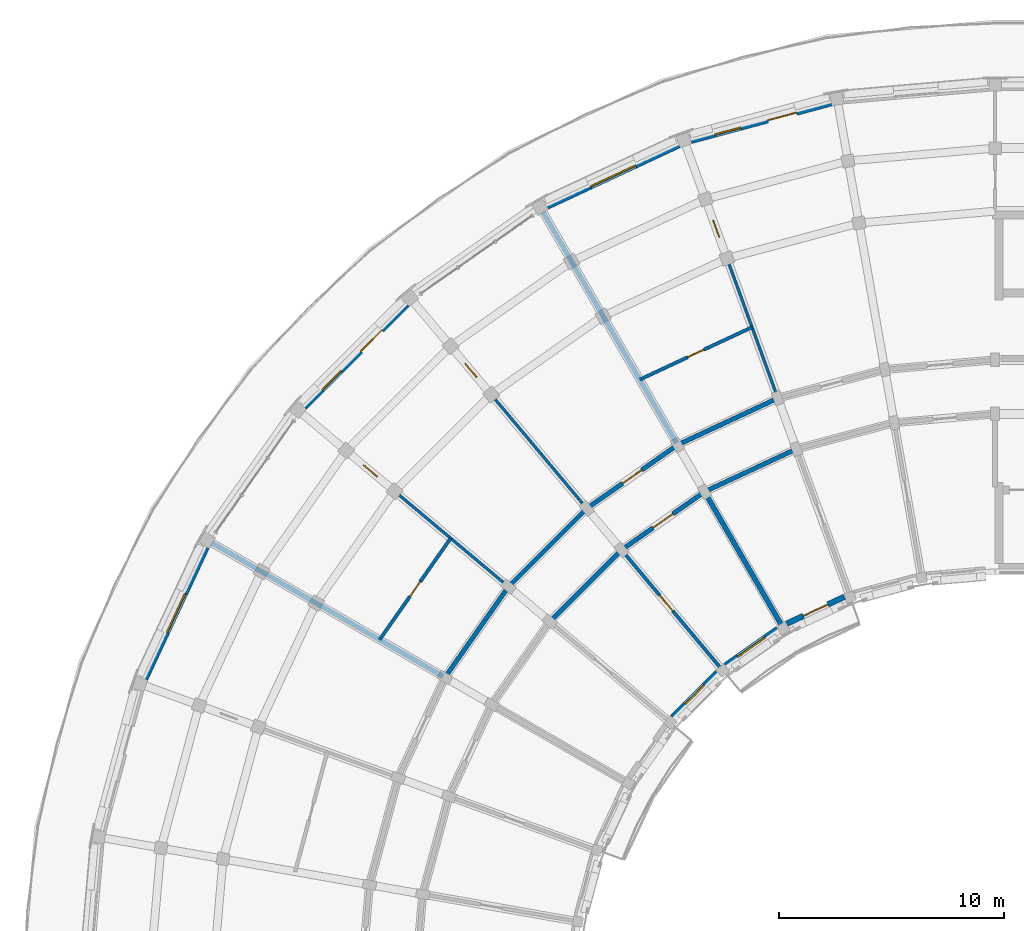
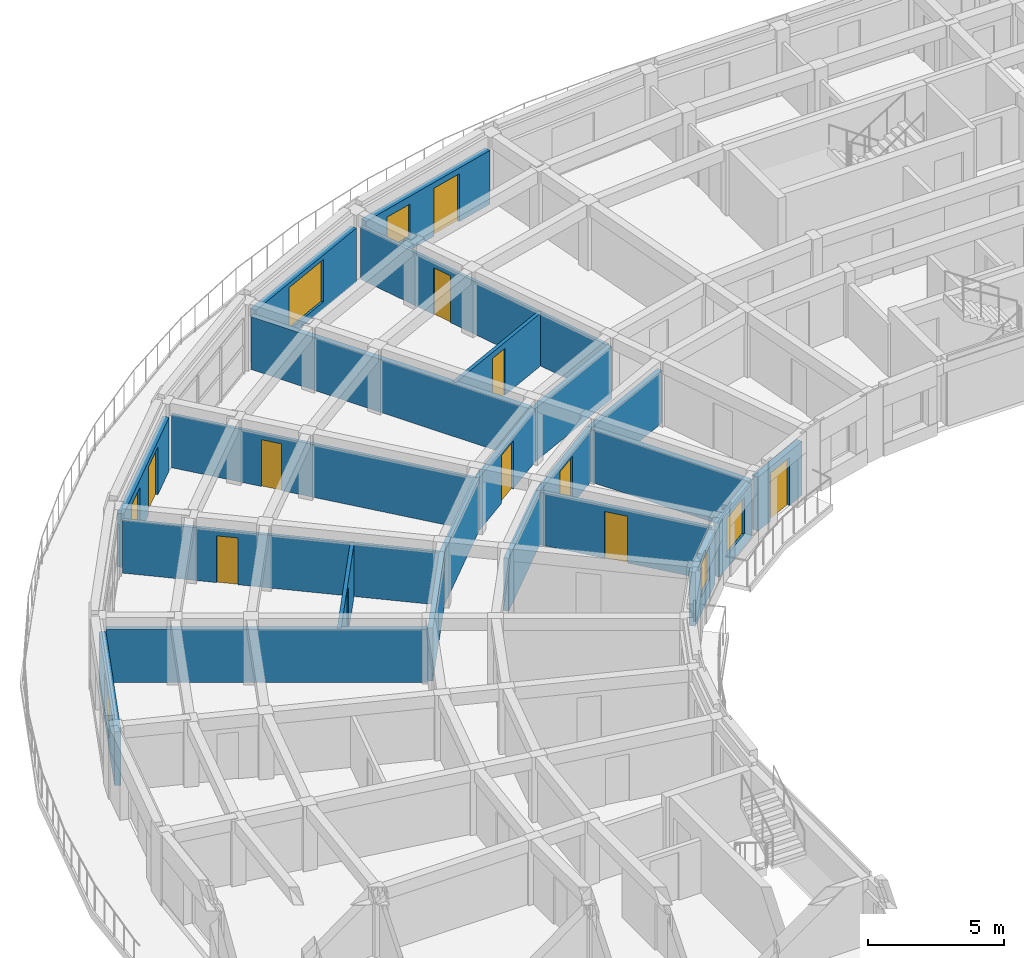
# One storey, part 12 of 23: 23 walls, 11 doors, 6 windows, 17 openings.
"""IFC4 building model written with IfcOpenShell, lengths in metres."""

from ifc_helpers import new_model, si_unit, direction, frame, frame_2d, origin, place, context, subcontext, project, spatial, rectangle, extrude, material, layer, layer_set, type_object, element, fill, save


model = new_model("IFC4")

# Units and contexts
model_context = context("Model", 3, precision=1e-05, world=origin(), true_north=direction((0.0, 1.0)))
body_context = subcontext(model_context, "Body", "Model", "MODEL_VIEW")
ifc_project = project(units=[si_unit("LENGTHUNIT", "METRE"), si_unit("AREAUNIT", "SQUARE_METRE"), si_unit("VOLUMEUNIT", "CUBIC_METRE"), si_unit("PLANEANGLEUNIT", "RADIAN"), si_unit("MASSUNIT", "GRAM", prefix="KILO")], contexts=[model_context])

# Site, building, storey
site_placement = place(None, origin())
site = spatial("IfcSite", under=ifc_project, at=site_placement, CompositionType="ELEMENT")
building_placement = place(site_placement, origin())
building = spatial("IfcBuilding", under=site, at=building_placement, Name="Kiranvali Square Residences", CompositionType="ELEMENT")
storey_placement = place(building_placement, frame((0.0, 0.0, 43.35009765625)))
storey = spatial("IfcBuildingStorey", under=building, at=storey_placement, Name="L13", CompositionType="ELEMENT", Elevation=43.35009765625)

# Walls
ifc_material_1 = material(Name="Autoclaved aerated concrete blockwork masonry", Category="masonry")
ifc_layer_1 = layer(ifc_material_1, 0.199951171875)
ifc_layer_set_1 = layer_set([ifc_layer_1], Name="Autoclaved aerated concrete blockwork masonry")
wall_type_1 = type_object("IfcWallType", Name="WL-COR-200", PredefinedType="STANDARD", material=ifc_layer_set_1)
wall_1_placement = place(storey_placement, frame((39.3759765625, 112.044189453125, 0.0), z_axis=(0.0, 0.0, 1.0), x_axis=(-0.906307919131, -0.422617978463, 0.0)))
element("IfcWall", 1, at=wall_1_placement, inside=storey, type_object=wall_type_1, Name="L13 architectural wall WL-L13-A-CCI-2", PredefinedType="STANDARD", context=body_context, shape_type="SweptSolid", body=[
    extrude(rectangle(XDim=4.497314453125, YDim=0.199951171875, at=frame_2d((2.24853515625, 0.0))), origin(), (0.0, 0.0, 1.0), 2.371826171875),
])
wall_2_placement = place(storey_placement, frame((38.554931640625, 114.29931640625, 0.0), z_axis=(0.0, 0.0, 1.0), x_axis=(-0.906302381024, -0.422629854778, 0.0)))
element("IfcWall", 2, at=wall_2_placement, inside=storey, type_object=wall_type_1, Name="L13 architectural wall WL-L13-A-CCO-2", PredefinedType="STANDARD", context=body_context, shape_type="SweptSolid", body=[
    extrude(rectangle(XDim=4.915283203125, YDim=0.199951171875, at=frame_2d((2.45751953125, 0.0))), origin(), (0.0, 0.0, 1.0), 2.371826171875),
])

# Wall, opening, door
wall_3_placement = place(storey_placement, frame((35.300048828125, 110.1435546875, 0.0), z_axis=(0.0, 0.0, 1.0), x_axis=(-0.819155404658, -0.573571637217, 0.0)))
wall_3 = element("IfcWall", 3, at=wall_3_placement, inside=storey, type_object=wall_type_1, Name="L13 architectural wall WL-L13-A-CCI-3", PredefinedType="STANDARD", context=body_context, shape_type="SweptSolid", body=[
    extrude(rectangle(XDim=4.497314453125, YDim=0.199951171875, at=frame_2d((2.24853515625, 0.0))), origin(), (0.0, 0.0, 1.0), 2.371826171875),
])
opening_1_placement = place(wall_3_placement, frame((1.708740234375, 0.0, 0.0)))
opening_1 = element("IfcOpeningElement", 4, at=opening_1_placement, cuts=wall_3, Name="Opening FD-APT-60C", PredefinedType="OPENING", context=body_context, shape_type="SweptSolid", body=[
    extrude(rectangle(XDim=1.080078125, YDim=2.14990234375, at=frame_2d((0.5400390625, 1.074951171875))), frame((0.0, 0.10986328125, 0.0), z_axis=(0.0, -1.0, 0.0), x_axis=(1.0, 0.0, 0.0)), (0.0, 0.0, 1.0), 0.219970703125),
])
ifc_material_2 = material(Name="Fire-rated acoustic hardwood and mineral-core door assembly", Category="wood")
door_type_1 = type_object("IfcDoorType", Name="DR-APT-1080", OperationType="NOTDEFINED", PredefinedType="DOOR", material=ifc_material_2)
door_1_placement = place(opening_1_placement, origin())
door_1 = element("IfcDoor", 5, at=door_1_placement, inside=storey, type_object=door_type_1, Name="L13 door DR-L13-0839 (DR-APT-1080)", OperationType="SINGLE_SWING_LEFT", OverallHeight=2.14990234375, OverallWidth=1.080078125, PredefinedType="DOOR", context=body_context, shape_type="SweptSolid", body=[
    extrude(rectangle(XDim=1.080078125, YDim=2.14990234375, at=frame_2d((0.5400390625, 1.074951171875))), frame((0.0, 0.02490234375, 0.0), z_axis=(0.0, -1.0, 0.0), x_axis=(1.0, 0.0, 0.0)), (0.0, 0.0, 1.0), 0.050048828125),
])
fill(opening_1, door_1)

wall_4_placement = place(storey_placement, frame((34.10009765625, 112.221923828125, 0.0), z_axis=(0.0, 0.0, 1.0), x_axis=(-0.819140911474, -0.573592335331, 0.0)))
wall_4 = element("IfcWall", 6, at=wall_4_placement, inside=storey, type_object=wall_type_1, Name="L13 architectural wall WL-L13-A-CCO-3", PredefinedType="STANDARD", context=body_context, shape_type="SweptSolid", body=[
    extrude(rectangle(XDim=4.915771484375, YDim=0.199951171875, at=frame_2d((2.4580078125, 0.0))), origin(), (0.0, 0.0, 1.0), 2.371826171875),
])
opening_2_placement = place(wall_4_placement, frame((1.937744140625, 0.0, 0.0)))
opening_2 = element("IfcOpeningElement", 7, at=opening_2_placement, cuts=wall_4, Name="Opening FD-APT-60B", PredefinedType="OPENING", context=body_context, shape_type="SweptSolid", body=[
    extrude(rectangle(XDim=1.0400390625, YDim=2.14990234375, at=frame_2d((0.52001953125, 1.074951171875))), frame((0.0, 0.10986328125, 0.0), z_axis=(0.0, -1.0, 0.0), x_axis=(1.0, 0.0, 0.0)), (0.0, 0.0, 1.0), 0.219970703125),
])
door_type_2 = type_object("IfcDoorType", Name="DR-APT-1040", OperationType="NOTDEFINED", PredefinedType="DOOR", material=ifc_material_2)
door_2_placement = place(opening_2_placement, origin())
door_2 = element("IfcDoor", 8, at=door_2_placement, inside=storey, type_object=door_type_2, Name="L13 door DR-L13-0833 (DR-APT-1040)", OperationType="SINGLE_SWING_LEFT", OverallHeight=2.14990234375, OverallWidth=1.0400390625, PredefinedType="DOOR", context=body_context, shape_type="SweptSolid", body=[
    extrude(rectangle(XDim=1.0400390625, YDim=2.14990234375, at=frame_2d((0.52001953125, 1.074951171875))), frame((0.0, 0.02490234375, 0.0), z_axis=(0.0, -1.0, 0.0), x_axis=(1.0, 0.0, 0.0)), (0.0, 0.0, 1.0), 0.050048828125),
])
fill(opening_2, door_2)

# Walls
wall_5_placement = place(storey_placement, frame((31.615966796875, 107.56396484375, 0.0), z_axis=(0.0, 0.0, 1.0), x_axis=(-0.707106781187, -0.707106781187, 0.0)))
element("IfcWall", 9, at=wall_5_placement, inside=storey, type_object=wall_type_1, Name="L13 architectural wall WL-L13-A-CCI-4", PredefinedType="STANDARD", context=body_context, shape_type="SweptSolid", body=[
    extrude(rectangle(XDim=4.4970703125, YDim=0.199951171875, at=frame_2d((2.24853515625, 0.0))), origin(), (0.0, 0.0, 1.0), 2.371826171875),
])
wall_6_placement = place(storey_placement, frame((30.073486328125, 109.40234375, 0.0), z_axis=(0.0, 0.0, 1.0), x_axis=(-0.707106781187, -0.707106781187, 0.0)))
element("IfcWall", 10, at=wall_6_placement, inside=storey, type_object=wall_type_1, Name="L13 architectural wall WL-L13-A-CCO-4", PredefinedType="STANDARD", context=body_context, shape_type="SweptSolid", body=[
    extrude(rectangle(XDim=4.91552734375, YDim=0.199951171875, at=frame_2d((2.457763671875, 0.0))), origin(), (0.0, 0.0, 1.0), 2.371826171875),
])
wall_7_placement = place(storey_placement, frame((26.59765625, 105.926513671875, 0.0), z_axis=(0.0, 0.0, 1.0), x_axis=(-0.573592335331, -0.819140911474, 0.0)))
element("IfcWall", 11, at=wall_7_placement, inside=storey, type_object=wall_type_1, Name="L13 architectural wall WL-L13-A-CCO-5", PredefinedType="STANDARD", context=body_context, shape_type="SweptSolid", body=[
    extrude(rectangle(XDim=4.915771484375, YDim=0.199951171875, at=frame_2d((2.4580078125, 0.0))), origin(), (0.0, 0.0, 1.0), 2.371826171875),
])
ifc_layer_2 = layer(ifc_material_1, 0.219970703125)
ifc_layer_set_2 = layer_set([ifc_layer_2], Name="Autoclaved aerated concrete blockwork masonry")
wall_type_2 = type_object("IfcWallType", Name="WL-DEM-220", PredefinedType="STANDARD", material=ifc_layer_set_2)
wall_8_placement = place(storey_placement, frame((38.699951171875, 104.25439453125, 0.0), z_axis=(0.0, 0.0, 1.0), x_axis=(-0.499997969693, 0.866026575979, 0.0)))
element("IfcWall", 12, at=wall_8_placement, inside=storey, type_object=wall_type_2, Name="L13 architectural wall WL-L13-A-RADI-3", PredefinedType="STANDARD", context=body_context, shape_type="SweptSolid", body=[
    extrude(rectangle(XDim=6.75, YDim=0.219970703125, at=frame_2d((3.375, 0.0))), origin(), (0.0, 0.0, 1.0), 2.371826171875),
])
for number, where, z_axis, x_axis, name in (
    (13, (34.050048828125, 112.30859375, 0.0), (0.0, 0.0, 1.0), (-0.500013290014, 0.866017730655, 0.0), "L13 architectural wall WL-L13-A-RADO-3"),
    (14, (23.69140625, 101.949951171875, 0.0), (0.0, 0.0, 1.0), (-0.866017730655, 0.500013290014, 0.0), "L13 architectural wall WL-L13-A-RADO-6"),
):
    element("IfcWall", number, at=place(storey_placement, frame(where, z_axis=z_axis, x_axis=x_axis)), inside=storey, type_object=wall_type_2, Name=name, PredefinedType="STANDARD", context=body_context, shape_type="SweptSolid", body=[
        extrude(rectangle(XDim=11.820068359375, YDim=0.219970703125, at=frame_2d((5.91015625, 0.0))), origin(), (0.0, 0.0, 1.0), 2.371826171875),
    ])

# Wall, openings, door, window
ifc_material_3 = material(Name="Breathable lime-rendered clay brick masonry", Category="masonry")
ifc_layer_3 = layer(ifc_material_3, 0.25)
ifc_layer_set_3 = layer_set([ifc_layer_3], Name="Breathable lime-rendered clay brick masonry")
wall_type_3 = type_object("IfcWallType", Name="WL-EXT-250", PredefinedType="STANDARD", material=ifc_layer_set_3)
wall_9_placement = place(storey_placement, frame((40.9267578125, 127.3876953125, 0.0), z_axis=(0.0, 0.0, 1.0), x_axis=(-0.965929779688, -0.258804290367, 0.0)))
wall_9 = element("IfcWall", 15, at=wall_9_placement, inside=storey, type_object=wall_type_3, Name="L13 exterior wall A-L13-CRV-01", PredefinedType="STANDARD", context=body_context, shape_type="SweptSolid", body=[
    extrude(rectangle(XDim=6.441162109375, YDim=0.25, at=frame_2d((3.220703125, 0.0))), origin(), (0.0, 0.0, 1.0), 2.411865234375),
])
opening_3_placement = place(wall_9_placement, frame((4.15478515625, 0.0, 0.56201171875)))
opening_3 = element("IfcOpeningElement", 16, at=opening_3_placement, cuts=wall_9, Name="Opening W-06", PredefinedType="OPENING", context=body_context, shape_type="SweptSolid", body=[
    extrude(rectangle(XDim=1.199951171875, YDim=1.5, at=frame_2d((0.60009765625, 0.75))), frame((0.0, 0.135009765625, 0.0), z_axis=(0.0, -1.0, 0.0), x_axis=(1.0, 0.0, 0.0)), (0.0, 0.0, 1.0), 0.27001953125),
])
opening_4_placement = place(wall_9_placement, frame((1.594482421875, 0.0, 0.0)))
opening_4 = element("IfcOpeningElement", 17, at=opening_4_placement, cuts=wall_9, Name="Opening ED-BAL-3", PredefinedType="OPENING", context=body_context, shape_type="SweptSolid", body=[
    extrude(rectangle(XDim=1.320068359375, YDim=2.14990234375, at=frame_2d((0.66015625, 1.074951171875))), frame((0.0, 0.135009765625, 0.0), z_axis=(0.0, -1.0, 0.0), x_axis=(1.0, 0.0, 0.0)), (0.0, 0.0, 1.0), 0.27001953125),
])
ifc_material_4 = material(Name="Anodised bronze aluminium framing", Category="aluminium")
door_type_3 = type_object("IfcDoorType", Name="DR-BAL-1320", OperationType="NOTDEFINED", PredefinedType="DOOR", material=ifc_material_4)
door_3_placement = place(opening_4_placement, frame((1.320068359375, 0.0, 0.0), z_axis=(0.0, 0.0, 1.0), x_axis=(-1.0, 0.0, 0.0)))
door_3 = element("IfcDoor", 18, at=door_3_placement, inside=storey, type_object=door_type_3, Name="L13 balcony terrace door", OperationType="SINGLE_SWING_LEFT", OverallHeight=2.14990234375, OverallWidth=1.320068359375, PredefinedType="DOOR", context=body_context, shape_type="SweptSolid", body=[
    extrude(rectangle(XDim=1.320068359375, YDim=2.14990234375, at=frame_2d((0.66015625, 1.074951171875))), frame((0.0, 0.02490234375, 0.0), z_axis=(0.0, -1.0, 0.0), x_axis=(1.0, 0.0, 0.0)), (0.0, 0.0, 1.0), 0.050048828125),
])
fill(opening_4, door_3)
ifc_material_5 = material(Name="Solar-control low-e double glazing", Category="glass")
window_type_1 = type_object("IfcWindowType", Name="WIN-RES-1200x1500", PartitioningType="SINGLE_PANEL", PredefinedType="WINDOW", material=ifc_material_5)
window_1_placement = place(opening_3_placement, origin())
window_1 = element("IfcWindow", 19, at=window_1_placement, inside=storey, type_object=window_type_1, Name="L13 recessed window A-L13-CRV-01", OverallHeight=1.5, OverallWidth=1.199951171875, PartitioningType="SINGLE_PANEL", PredefinedType="WINDOW", context=body_context, shape_type="SweptSolid", body=[
    extrude(rectangle(XDim=1.199951171875, YDim=1.5, at=frame_2d((0.60009765625, 0.75))), frame((0.0, 0.030029296875, 0.0), z_axis=(0.0, -1.0, 0.0), x_axis=(1.0, 0.0, 0.0)), (0.0, 0.0, 1.0), 0.06005859375),
])
fill(opening_3, window_1)

# Wall, opening, window
wall_10_placement = place(storey_placement, frame((34.162841796875, 125.523193359375, 0.0), z_axis=(0.0, 0.0, 1.0), x_axis=(-0.906320597547, -0.422590788426, 0.0)))
wall_10 = element("IfcWall", 20, at=wall_10_placement, inside=storey, type_object=wall_type_3, Name="L13 exterior wall A-L13-CRV-02", PredefinedType="STANDARD", context=body_context, shape_type="SweptSolid", body=[
    extrude(rectangle(XDim=6.44091796875, YDim=0.25, at=frame_2d((3.220458984375, 0.0))), origin(), (0.0, 0.0, 1.0), 2.411865234375),
])
opening_5_placement = place(wall_10_placement, frame((2.12060546875, 0.0, 0.31201171875)))
opening_5 = element("IfcOpeningElement", 21, at=opening_5_placement, cuts=wall_10, Name="Opening W-20", PredefinedType="OPENING", context=body_context, shape_type="SweptSolid", body=[
    extrude(rectangle(XDim=2.199951171875, YDim=1.89990234375, at=frame_2d((1.10009765625, 0.949951171875))), frame((0.0, 0.135009765625, 0.0), z_axis=(0.0, -1.0, 0.0), x_axis=(1.0, 0.0, 0.0)), (0.0, 0.0, 1.0), 0.27001953125),
])
window_type_2 = type_object("IfcWindowType", Name="WIN-TER-2200x1900", PartitioningType="TRIPLE_PANEL_VERTICAL", PredefinedType="WINDOW", material=ifc_material_5)
window_2_placement = place(opening_5_placement, origin())
window_2 = element("IfcWindow", 22, at=window_2_placement, inside=storey, type_object=window_type_2, Name="L13 recessed window A-L13-CRV-02", OverallHeight=1.89990234375, OverallWidth=2.199951171875, PartitioningType="TRIPLE_PANEL_VERTICAL", PredefinedType="WINDOW", context=body_context, shape_type="SweptSolid", body=[
    extrude(rectangle(XDim=2.199951171875, YDim=1.89990234375, at=frame_2d((1.10009765625, 0.949951171875))), frame((0.0, 0.030029296875, 0.0), z_axis=(0.0, -1.0, 0.0), x_axis=(1.0, 0.0, 0.0)), (0.0, 0.0, 1.0), 0.06005859375),
])
fill(opening_5, window_2)

# Wall, openings, door, window
wall_11_placement = place(storey_placement, frame((22.107177734375, 118.447265625, 0.0), z_axis=(0.0, 0.0, 1.0), x_axis=(-0.707106781187, -0.707106781187, 0.0)))
wall_11 = element("IfcWall", 23, at=wall_11_placement, inside=storey, type_object=wall_type_3, Name="L13 exterior wall A-L13-CRV-04", PredefinedType="STANDARD", context=body_context, shape_type="SweptSolid", body=[
    extrude(rectangle(XDim=6.44091796875, YDim=0.25, at=frame_2d((3.220458984375, 0.0))), origin(), (0.0, 0.0, 1.0), 2.411865234375),
])
opening_6_placement = place(wall_11_placement, frame((4.15478515625, 0.0, 0.56201171875)))
opening_6 = element("IfcOpeningElement", 24, at=opening_6_placement, cuts=wall_11, Name="Opening W-06", PredefinedType="OPENING", context=body_context, shape_type="SweptSolid", body=[
    extrude(rectangle(XDim=1.199951171875, YDim=1.5, at=frame_2d((0.60009765625, 0.75))), frame((0.0, 0.135009765625, 0.0), z_axis=(0.0, -1.0, 0.0), x_axis=(1.0, 0.0, 0.0)), (0.0, 0.0, 1.0), 0.27001953125),
])
opening_7_placement = place(wall_11_placement, frame((1.594482421875, 0.0, 0.0)))
opening_7 = element("IfcOpeningElement", 25, at=opening_7_placement, cuts=wall_11, Name="Opening ED-BAL-3", PredefinedType="OPENING", context=body_context, shape_type="SweptSolid", body=[
    extrude(rectangle(XDim=1.320068359375, YDim=2.14990234375, at=frame_2d((0.66015625, 1.074951171875))), frame((0.0, 0.135009765625, 0.0), z_axis=(0.0, -1.0, 0.0), x_axis=(1.0, 0.0, 0.0)), (0.0, 0.0, 1.0), 0.27001953125),
])
door_4_placement = place(opening_7_placement, frame((1.320068359375, 0.0, 0.0), z_axis=(0.0, 0.0, 1.0), x_axis=(-1.0, 0.0, 0.0)))
door_4 = element("IfcDoor", 26, at=door_4_placement, inside=storey, type_object=door_type_3, Name="L13 balcony terrace door", OperationType="SINGLE_SWING_RIGHT", OverallHeight=2.14990234375, OverallWidth=1.320068359375, PredefinedType="DOOR", context=body_context, shape_type="SweptSolid", body=[
    extrude(rectangle(XDim=1.320068359375, YDim=2.14990234375, at=frame_2d((0.66015625, 1.074951171875))), frame((0.0, 0.02490234375, 0.0), z_axis=(0.0, -1.0, 0.0), x_axis=(1.0, 0.0, 0.0)), (0.0, 0.0, 1.0), 0.050048828125),
])
fill(opening_7, door_4)
window_3_placement = place(opening_6_placement, origin())
window_3 = element("IfcWindow", 27, at=window_3_placement, inside=storey, type_object=window_type_1, Name="L13 recessed window A-L13-CRV-04", OverallHeight=1.5, OverallWidth=1.199951171875, PartitioningType="SINGLE_PANEL", PredefinedType="WINDOW", context=body_context, shape_type="SweptSolid", body=[
    extrude(rectangle(XDim=1.199951171875, YDim=1.5, at=frame_2d((0.60009765625, 0.75))), frame((0.0, 0.030029296875, 0.0), z_axis=(0.0, -1.0, 0.0), x_axis=(1.0, 0.0, 0.0)), (0.0, 0.0, 1.0), 0.06005859375),
])
fill(opening_6, window_3)

# Wall, opening, window
wall_12_placement = place(storey_placement, frame((13.19873046875, 107.6748046875, 0.0), z_axis=(0.0, 0.0, 1.0), x_axis=(-0.422590788426, -0.906320597547, 0.0)))
wall_12 = element("IfcWall", 28, at=wall_12_placement, inside=storey, type_object=wall_type_3, Name="L13 exterior wall A-L13-CRV-06", PredefinedType="STANDARD", context=body_context, shape_type="SweptSolid", body=[
    extrude(rectangle(XDim=6.44091796875, YDim=0.25, at=frame_2d((3.220458984375, 0.0))), origin(), (0.0, 0.0, 1.0), 2.411865234375),
])
opening_8_placement = place(wall_12_placement, frame((2.2705078125, 0.0, 0.4619140625)))
opening_8 = element("IfcOpeningElement", 29, at=opening_8_placement, cuts=wall_12, Name="Opening W-21", PredefinedType="OPENING", context=body_context, shape_type="SweptSolid", body=[
    extrude(rectangle(XDim=1.89990234375, YDim=1.75, at=frame_2d((0.949951171875, 0.875))), frame((0.0, 0.135009765625, 0.0), z_axis=(0.0, -1.0, 0.0), x_axis=(1.0, 0.0, 0.0)), (0.0, 0.0, 1.0), 0.27001953125),
])
window_type_3 = type_object("IfcWindowType", Name="WIN-TER-1900x1750", PartitioningType="DOUBLE_PANEL_VERTICAL", PredefinedType="WINDOW", material=ifc_material_5)
window_4_placement = place(opening_8_placement, origin())
window_4 = element("IfcWindow", 30, at=window_4_placement, inside=storey, type_object=window_type_3, Name="L13 recessed window A-L13-CRV-06", OverallHeight=1.75, OverallWidth=1.89990234375, PartitioningType="DOUBLE_PANEL_VERTICAL", PredefinedType="WINDOW", context=body_context, shape_type="SweptSolid", body=[
    extrude(rectangle(XDim=1.89990234375, YDim=1.75, at=frame_2d((0.949951171875, 0.875))), frame((0.0, 0.030029296875, 0.0), z_axis=(0.0, -1.0, 0.0), x_axis=(1.0, 0.0, 0.0)), (0.0, 0.0, 1.0), 0.06005859375),
])
fill(opening_8, window_4)

# Wall, opening, door
wall_13_placement = place(storey_placement, frame((41.510009765625, 105.48291015625, 0.0), z_axis=(0.0, 0.0, 1.0), x_axis=(-0.906284857185, -0.422667431484, 0.0)))
wall_13 = element("IfcWall", 31, at=wall_13_placement, inside=storey, type_object=wall_type_3, Name="L13 exterior wall A-L13-GDN-02", PredefinedType="STANDARD", context=body_context, shape_type="SweptSolid", body=[
    extrude(rectangle(XDim=2.81982421875, YDim=0.25, at=frame_2d((1.409912109375, 0.0))), origin(), (0.0, 0.0, 1.0), 2.421875),
])
opening_9_placement = place(wall_13_placement, frame((0.81005859375, 0.0, 0.0)))
opening_9 = element("IfcOpeningElement", 32, at=opening_9_placement, cuts=wall_13, Name="Opening ED-BAL-1", PredefinedType="OPENING", context=body_context, shape_type="SweptSolid", body=[
    extrude(rectangle(XDim=1.199951171875, YDim=2.14990234375, at=frame_2d((0.60009765625, 1.074951171875))), frame((0.0, 0.135009765625, 0.0), z_axis=(0.0, -1.0, 0.0), x_axis=(1.0, 0.0, 0.0)), (0.0, 0.0, 1.0), 0.27001953125),
])
door_type_4 = type_object("IfcDoorType", Name="DR-BAL-1200", OperationType="NOTDEFINED", PredefinedType="DOOR", material=ifc_material_4)
door_5_placement = place(opening_9_placement, origin())
door_5 = element("IfcDoor", 33, at=door_5_placement, inside=storey, type_object=door_type_4, Name="L13 balcony terrace door", OperationType="SINGLE_SWING_RIGHT", OverallHeight=2.14990234375, OverallWidth=1.199951171875, PredefinedType="DOOR", context=body_context, shape_type="SweptSolid", body=[
    extrude(rectangle(XDim=1.199951171875, YDim=2.14990234375, at=frame_2d((0.60009765625, 1.074951171875))), frame((0.0, 0.02490234375, 0.0), z_axis=(0.0, -1.0, 0.0), x_axis=(1.0, 0.0, 0.0)), (0.0, 0.0, 1.0), 0.050048828125),
])
fill(opening_9, door_5)

# Wall, opening, window
wall_14_placement = place(storey_placement, frame((38.541259765625, 104.052734375, 0.0), z_axis=(0.0, 0.0, 1.0), x_axis=(-0.819154644592, -0.573572722716, 0.0)))
wall_14 = element("IfcWall", 34, at=wall_14_placement, inside=storey, type_object=wall_type_3, Name="L13 exterior wall A-L13-GDN-03", PredefinedType="STANDARD", context=body_context, shape_type="SweptSolid", body=[
    extrude(rectangle(XDim=2.8203125, YDim=0.25, at=frame_2d((1.41015625, 0.0))), origin(), (0.0, 0.0, 1.0), 2.421875),
])
opening_10_placement = place(wall_14_placement, frame((0.66015625, 0.0, 0.572021484375)))
opening_10 = element("IfcOpeningElement", 35, at=opening_10_placement, cuts=wall_14, Name="Opening W-05", PredefinedType="OPENING", context=body_context, shape_type="SweptSolid", body=[
    extrude(rectangle(XDim=1.5, YDim=1.64990234375, at=frame_2d((0.75, 0.824951171875))), frame((0.0, 0.135009765625, 0.0), z_axis=(0.0, -1.0, 0.0), x_axis=(1.0, 0.0, 0.0)), (0.0, 0.0, 1.0), 0.27001953125),
])
window_type_4 = type_object("IfcWindowType", Name="WIN-RES-1500x1650", PartitioningType="DOUBLE_PANEL_VERTICAL", PredefinedType="WINDOW", material=ifc_material_5)
window_5_placement = place(opening_10_placement, origin())
window_5 = element("IfcWindow", 36, at=window_5_placement, inside=storey, type_object=window_type_4, Name="L13 recessed window A-L13-GDN-03", OverallHeight=1.64990234375, OverallWidth=1.5, PartitioningType="DOUBLE_PANEL_VERTICAL", PredefinedType="WINDOW", context=body_context, shape_type="SweptSolid", body=[
    extrude(rectangle(XDim=1.5, YDim=1.64990234375, at=frame_2d((0.75, 0.824951171875))), frame((0.0, 0.030029296875, 0.0), z_axis=(0.0, -1.0, 0.0), x_axis=(1.0, 0.0, 0.0)), (0.0, 0.0, 1.0), 0.06005859375),
])
fill(opening_10, window_5)

wall_15_placement = place(storey_placement, frame((35.86572265625, 102.12841796875, 0.0), z_axis=(0.0, 0.0, 1.0), x_axis=(-0.707106781187, -0.707106781187, 0.0)))
wall_15 = element("IfcWall", 37, at=wall_15_placement, inside=storey, type_object=wall_type_3, Name="L13 exterior wall A-L13-GDN-04", PredefinedType="STANDARD", context=body_context, shape_type="SweptSolid", body=[
    extrude(rectangle(XDim=2.820068359375, YDim=0.25, at=frame_2d((1.41015625, 0.0))), origin(), (0.0, 0.0, 1.0), 2.421875),
])
opening_11_placement = place(wall_15_placement, frame((0.81005859375, 0.0, 0.721923828125)))
opening_11 = element("IfcOpeningElement", 38, at=opening_11_placement, cuts=wall_15, Name="Opening W-06", PredefinedType="OPENING", context=body_context, shape_type="SweptSolid", body=[
    extrude(rectangle(XDim=1.199951171875, YDim=1.5, at=frame_2d((0.60009765625, 0.75))), frame((0.0, 0.135009765625, 0.0), z_axis=(0.0, -1.0, 0.0), x_axis=(1.0, 0.0, 0.0)), (0.0, 0.0, 1.0), 0.27001953125),
])
window_6_placement = place(opening_11_placement, origin())
window_6 = element("IfcWindow", 39, at=window_6_placement, inside=storey, type_object=window_type_1, Name="L13 recessed window A-L13-GDN-04", OverallHeight=1.5, OverallWidth=1.199951171875, PartitioningType="SINGLE_PANEL", PredefinedType="WINDOW", context=body_context, shape_type="SweptSolid", body=[
    extrude(rectangle(XDim=1.199951171875, YDim=1.5, at=frame_2d((0.60009765625, 0.75))), frame((0.0, 0.030029296875, 0.0), z_axis=(0.0, -1.0, 0.0), x_axis=(1.0, 0.0, 0.0)), (0.0, 0.0, 1.0), 0.06005859375),
])
fill(opening_11, window_6)

# Wall, opening, door
ifc_material_6 = material(Name="Acoustic gypsum board drylined partition", Category="gypsum")
ifc_layer_4 = layer(ifc_material_6, 0.125)
ifc_layer_set_4 = layer_set([ifc_layer_4], Name="Acoustic gypsum board drylined partition")
wall_type_4 = type_object("IfcWallType", Name="WL-PRT-125", PredefinedType="PARTITIONING", material=ifc_layer_set_4)
wall_16_placement = place(storey_placement, frame((38.520751953125, 114.393310546875, 0.0), z_axis=(0.0, 0.0, 1.0), x_axis=(-0.342005081534, 0.939698102693, 0.0)))
wall_16 = element("IfcWall", 40, at=wall_16_placement, inside=storey, type_object=wall_type_4, Name="L13 architectural wall WL-L13-A-RADO-2", PredefinedType="PARTITIONING", context=body_context, shape_type="SweptSolid", body=[
    extrude(rectangle(XDim=11.81982421875, YDim=0.125, at=frame_2d((5.909912109375, 0.0))), origin(), (0.0, 0.0, 1.0), 2.371826171875),
])
opening_12_placement = place(wall_16_placement, frame((7.50048828125, 0.0, 0.0)))
opening_12 = element("IfcOpeningElement", 41, at=opening_12_placement, cuts=wall_16, Name="Opening ID-WET", PredefinedType="OPENING", context=body_context, shape_type="SweptSolid", body=[
    extrude(rectangle(XDim=0.800048828125, YDim=2.10009765625, at=frame_2d((0.39990234375, 1.050048828125))), frame((0.0, 0.072509765625, 0.0), z_axis=(0.0, -1.0, 0.0), x_axis=(1.0, 0.0, 0.0)), (0.0, 0.0, 1.0), 0.14501953125),
])
ifc_material_7 = material(Name="Solid seasoned teak hardwood joinery", Category="wood")
door_type_5 = type_object("IfcDoorType", Name="DR-WET-800", OperationType="NOTDEFINED", PredefinedType="DOOR", material=ifc_material_7)
door_6_placement = place(opening_12_placement, frame((0.800048828125, 0.0, 0.0), z_axis=(0.0, 0.0, 1.0), x_axis=(-1.0, 0.0, 0.0)))
door_6 = element("IfcDoor", 42, at=door_6_placement, inside=storey, type_object=door_type_5, Name="L13 door DR-L13-0822 (DR-WET-800)", OperationType="SINGLE_SWING_RIGHT", OverallHeight=2.10009765625, OverallWidth=0.800048828125, PredefinedType="DOOR", context=body_context, shape_type="SweptSolid", body=[
    extrude(rectangle(XDim=0.800048828125, YDim=2.10009765625, at=frame_2d((0.39990234375, 1.050048828125))), frame((0.0, 0.02490234375, 0.0), z_axis=(0.0, -1.0, 0.0), x_axis=(1.0, 0.0, 0.0)), (0.0, 0.0, 1.0), 0.050048828125),
])
fill(opening_12, door_6)

wall_17_placement = place(storey_placement, frame((30.009033203125, 109.47900390625, 0.0), z_axis=(0.0, 0.0, 1.0), x_axis=(-0.642781220531, 0.766049804211, 0.0)))
wall_17 = element("IfcWall", 43, at=wall_17_placement, inside=storey, type_object=wall_type_4, Name="L13 architectural wall WL-L13-A-RADO-4", PredefinedType="PARTITIONING", context=body_context, shape_type="SweptSolid", body=[
    extrude(rectangle(XDim=11.820068359375, YDim=0.125, at=frame_2d((5.91015625, 0.0))), origin(), (0.0, 0.0, 1.0), 2.371826171875),
])
opening_13_placement = place(wall_17_placement, frame((7.50048828125, 0.0, 0.0)))
opening_13 = element("IfcOpeningElement", 44, at=opening_13_placement, cuts=wall_17, Name="Opening ID-WET", PredefinedType="OPENING", context=body_context, shape_type="SweptSolid", body=[
    extrude(rectangle(XDim=0.800048828125, YDim=2.10009765625, at=frame_2d((0.39990234375, 1.050048828125))), frame((0.0, 0.072509765625, 0.0), z_axis=(0.0, -1.0, 0.0), x_axis=(1.0, 0.0, 0.0)), (0.0, 0.0, 1.0), 0.14501953125),
])
door_7_placement = place(opening_13_placement, frame((0.800048828125, 0.0, 0.0), z_axis=(0.0, 0.0, 1.0), x_axis=(-1.0, 0.0, 0.0)))
door_7 = element("IfcDoor", 45, at=door_7_placement, inside=storey, type_object=door_type_5, Name="L13 door DR-L13-0824 (DR-WET-800)", OperationType="SINGLE_SWING_RIGHT", OverallHeight=2.10009765625, OverallWidth=0.800048828125, PredefinedType="DOOR", context=body_context, shape_type="SweptSolid", body=[
    extrude(rectangle(XDim=0.800048828125, YDim=2.10009765625, at=frame_2d((0.39990234375, 1.050048828125))), frame((0.0, 0.02490234375, 0.0), z_axis=(0.0, -1.0, 0.0), x_axis=(1.0, 0.0, 0.0)), (0.0, 0.0, 1.0), 0.050048828125),
])
fill(opening_13, door_7)

wall_18_placement = place(storey_placement, frame((26.52099609375, 105.990966796875, 0.0), z_axis=(0.0, 0.0, 1.0), x_axis=(-0.766049804211, 0.642781220531, 0.0)))
wall_18 = element("IfcWall", 46, at=wall_18_placement, inside=storey, type_object=wall_type_4, Name="L13 architectural wall WL-L13-A-RADO-5", PredefinedType="PARTITIONING", context=body_context, shape_type="SweptSolid", body=[
    extrude(rectangle(XDim=11.820068359375, YDim=0.125, at=frame_2d((5.91015625, 0.0))), origin(), (0.0, 0.0, 1.0), 2.371826171875),
])
opening_14_placement = place(wall_18_placement, frame((7.50048828125, 0.0, 0.0)))
opening_14 = element("IfcOpeningElement", 47, at=opening_14_placement, cuts=wall_18, Name="Opening ID-WET", PredefinedType="OPENING", context=body_context, shape_type="SweptSolid", body=[
    extrude(rectangle(XDim=0.800048828125, YDim=2.10009765625, at=frame_2d((0.39990234375, 1.050048828125))), frame((0.0, 0.072509765625, 0.0), z_axis=(0.0, -1.0, 0.0), x_axis=(1.0, 0.0, 0.0)), (0.0, 0.0, 1.0), 0.14501953125),
])
door_8_placement = place(opening_14_placement, frame((0.800048828125, 0.0, 0.0), z_axis=(0.0, 0.0, 1.0), x_axis=(-1.0, 0.0, 0.0)))
door_8 = element("IfcDoor", 48, at=door_8_placement, inside=storey, type_object=door_type_5, Name="L13 door DR-L13-0826 (DR-WET-800)", OperationType="SINGLE_SWING_RIGHT", OverallHeight=2.10009765625, OverallWidth=0.800048828125, PredefinedType="DOOR", context=body_context, shape_type="SweptSolid", body=[
    extrude(rectangle(XDim=0.800048828125, YDim=2.10009765625, at=frame_2d((0.39990234375, 1.050048828125))), frame((0.0, 0.02490234375, 0.0), z_axis=(0.0, -1.0, 0.0), x_axis=(1.0, 0.0, 0.0)), (0.0, 0.0, 1.0), 0.050048828125),
])
fill(opening_14, door_8)

ifc_layer_5 = layer(ifc_material_6, 0.14990234375)
ifc_layer_set_5 = layer_set([ifc_layer_5], Name="Acoustic gypsum board drylined partition")
wall_type_5 = type_object("IfcWallType", Name="WL-PRT-150", PredefinedType="PARTITIONING", material=ifc_layer_set_5)
wall_19_placement = place(storey_placement, frame((35.987060546875, 102.354736328125, 0.0), z_axis=(0.0, 0.0, 1.0), x_axis=(-0.642784846501, 0.766046761698, 0.0)))
wall_19 = element("IfcWall", 49, at=wall_19_placement, inside=storey, type_object=wall_type_5, Name="L13 architectural wall WL-L13-A-RADI-4", PredefinedType="PARTITIONING", context=body_context, shape_type="SweptSolid", body=[
    extrude(rectangle(XDim=6.75, YDim=0.14990234375, at=frame_2d((3.375, 0.0))), origin(), (0.0, 0.0, 1.0), 2.371826171875),
])
opening_15_placement = place(wall_19_placement, frame((3.262451171875, 0.0, 0.0)))
opening_15 = element("IfcOpeningElement", 50, at=opening_15_placement, cuts=wall_19, Name="Opening ID-1", PredefinedType="OPENING", context=body_context, shape_type="SweptSolid", body=[
    extrude(rectangle(XDim=0.89990234375, YDim=2.10009765625, at=frame_2d((0.449951171875, 1.050048828125))), frame((0.0, 0.0849609375, 0.0), z_axis=(0.0, -1.0, 0.0), x_axis=(1.0, 0.0, 0.0)), (0.0, 0.0, 1.0), 0.169921875),
])
door_type_6 = type_object("IfcDoorType", Name="DR-INT-900", OperationType="NOTDEFINED", PredefinedType="DOOR", material=ifc_material_7)
door_9_placement = place(opening_15_placement, origin())
door_9 = element("IfcDoor", 51, at=door_9_placement, inside=storey, type_object=door_type_6, Name="L13 door DR-L13-0823 (DR-INT-900)", OperationType="SINGLE_SWING_LEFT", OverallHeight=2.10009765625, OverallWidth=0.89990234375, PredefinedType="DOOR", context=body_context, shape_type="SweptSolid", body=[
    extrude(rectangle(XDim=0.89990234375, YDim=2.10009765625, at=frame_2d((0.449951171875, 1.050048828125))), frame((0.0, 0.02490234375, 0.0), z_axis=(0.0, -1.0, 0.0), x_axis=(1.0, 0.0, 0.0)), (0.0, 0.0, 1.0), 0.050048828125),
])
fill(opening_15, door_9)

ifc_layer_6 = layer(ifc_material_1, 0.14990234375)
ifc_layer_set_6 = layer_set([ifc_layer_6], Name="Autoclaved aerated concrete blockwork masonry")
wall_type_6 = type_object("IfcWallType", Name="WL-WET-150", PredefinedType="PLUMBINGWALL", material=ifc_layer_set_6)
wall_20_placement = place(storey_placement, frame((37.4091796875, 117.447265625, 0.0), z_axis=(0.0, 0.0, 1.0), x_axis=(-0.906302189986, -0.422630264446, 0.0)))
wall_20 = element("IfcWall", 52, at=wall_20_placement, inside=storey, type_object=wall_type_6, Name="L13 architectural wall WL-L13-A-CWET-2", PredefinedType="PLUMBINGWALL", context=body_context, shape_type="SweptSolid", body=[
    extrude(rectangle(XDim=5.49951171875, YDim=0.14990234375, at=frame_2d((2.749755859375, 0.0))), origin(), (0.0, 0.0, 1.0), 2.371826171875),
])
opening_16_placement = place(wall_20_placement, frame((2.349853515625, 0.0, 0.0)))
opening_16 = element("IfcOpeningElement", 53, at=opening_16_placement, cuts=wall_20, Name="Opening ID-WET", PredefinedType="OPENING", context=body_context, shape_type="SweptSolid", body=[
    extrude(rectangle(XDim=0.800048828125, YDim=2.10009765625, at=frame_2d((0.39990234375, 1.050048828125))), frame((0.0, 0.0849609375, 0.0), z_axis=(0.0, -1.0, 0.0), x_axis=(1.0, 0.0, 0.0)), (0.0, 0.0, 1.0), 0.169921875),
])
door_10_placement = place(opening_16_placement, frame((0.800048828125, 0.0, 0.0), z_axis=(0.0, 0.0, 1.0), x_axis=(-1.0, 0.0, 0.0)))
door_10 = element("IfcDoor", 54, at=door_10_placement, inside=storey, type_object=door_type_5, Name="L13 door DR-L13-0832 (DR-WET-800)", OperationType="SINGLE_SWING_RIGHT", OverallHeight=2.10009765625, OverallWidth=0.800048828125, PredefinedType="DOOR", context=body_context, shape_type="SweptSolid", body=[
    extrude(rectangle(XDim=0.800048828125, YDim=2.10009765625, at=frame_2d((0.39990234375, 1.050048828125))), frame((0.0, 0.02490234375, 0.0), z_axis=(0.0, -1.0, 0.0), x_axis=(1.0, 0.0, 0.0)), (0.0, 0.0, 1.0), 0.050048828125),
])
fill(opening_16, door_10)

wall_21_placement = place(storey_placement, frame((24.03125, 108.079833984375, 0.0), z_axis=(0.0, 0.0, 1.0), x_axis=(-0.573569599955, -0.819156831143, 0.0)))
wall_21 = element("IfcWall", 55, at=wall_21_placement, inside=storey, type_object=wall_type_6, Name="L13 architectural wall WL-L13-A-CWET-5", PredefinedType="PLUMBINGWALL", context=body_context, shape_type="SweptSolid", body=[
    extrude(rectangle(XDim=5.49951171875, YDim=0.14990234375, at=frame_2d((2.749755859375, 0.0))), origin(), (0.0, 0.0, 1.0), 2.371826171875),
])
opening_17_placement = place(wall_21_placement, frame((2.349853515625, 0.0, 0.0)))
opening_17 = element("IfcOpeningElement", 56, at=opening_17_placement, cuts=wall_21, Name="Opening ID-WET", PredefinedType="OPENING", context=body_context, shape_type="SweptSolid", body=[
    extrude(rectangle(XDim=0.800048828125, YDim=2.10009765625, at=frame_2d((0.39990234375, 1.050048828125))), frame((0.0, 0.0849609375, 0.0), z_axis=(0.0, -1.0, 0.0), x_axis=(1.0, 0.0, 0.0)), (0.0, 0.0, 1.0), 0.169921875),
])
door_11_placement = place(opening_17_placement, frame((0.800048828125, 0.0, 0.0), z_axis=(0.0, 0.0, 1.0), x_axis=(-1.0, 0.0, 0.0)))
door_11 = element("IfcDoor", 57, at=door_11_placement, inside=storey, type_object=door_type_5, Name="L13 door DR-L13-0834 (DR-WET-800)", OperationType="SINGLE_SWING_RIGHT", OverallHeight=2.10009765625, OverallWidth=0.800048828125, PredefinedType="DOOR", context=body_context, shape_type="SweptSolid", body=[
    extrude(rectangle(XDim=0.800048828125, YDim=2.10009765625, at=frame_2d((0.39990234375, 1.050048828125))), frame((0.0, 0.02490234375, 0.0), z_axis=(0.0, -1.0, 0.0), x_axis=(1.0, 0.0, 0.0)), (0.0, 0.0, 1.0), 0.050048828125),
])
fill(opening_17, door_11)

save(model, "model.ifc")
